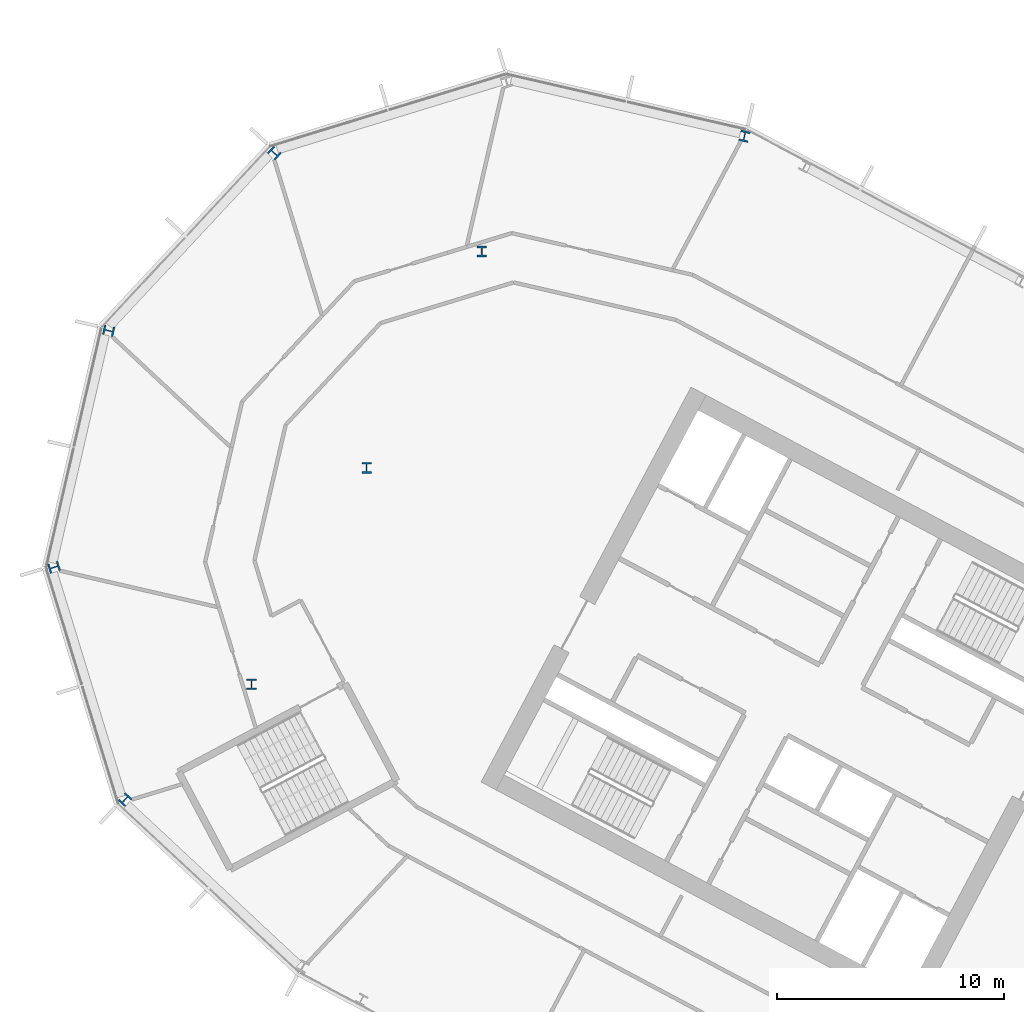
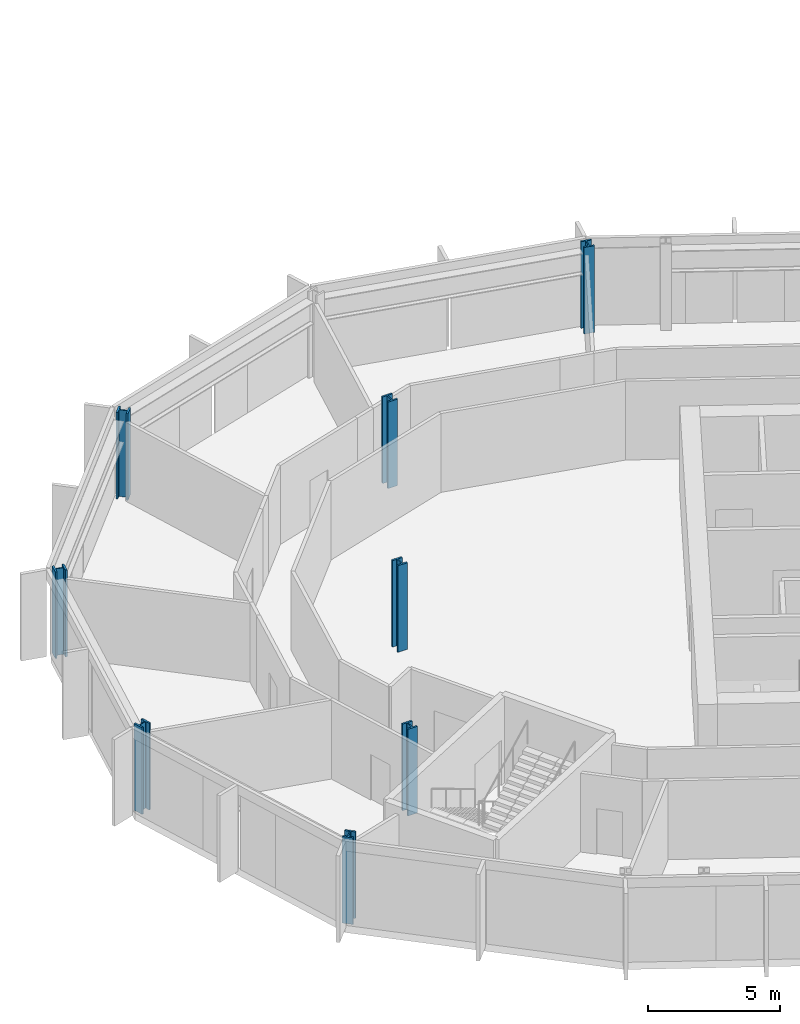
# One storey, part 3 of 28: 8 columns.
"""IFC4 building model written with IfcOpenShell, lengths in metres."""

from ifc_helpers import new_model, si_unit, direction, frame, origin, origin_2d, place, context, subcontext, project, spatial, i_section, extrude, material, material_profile, profile_set, type_object, element, save


model = new_model("IFC4")

# Units and contexts
model_context = context("Model", 3, precision=1e-05, world=origin(), true_north=direction((0.0, 1.0)))
body_context = subcontext(model_context, "Body", "Model", "MODEL_VIEW")
ifc_project = project(units=[si_unit("LENGTHUNIT", "METRE"), si_unit("AREAUNIT", "SQUARE_METRE"), si_unit("VOLUMEUNIT", "CUBIC_METRE"), si_unit("PLANEANGLEUNIT", "RADIAN"), si_unit("MASSUNIT", "GRAM", prefix="KILO")], contexts=[model_context])

# Site, building, storey
site_placement = place(None, origin())
site = spatial("IfcSite", under=ifc_project, at=site_placement, CompositionType="ELEMENT")
building_placement = place(site_placement, origin())
building = spatial("IfcBuilding", under=site, at=building_placement, Name="Cormorant Relay Tower", CompositionType="ELEMENT")
storey_placement = place(building_placement, frame((0.0, 0.0, 138.199951171875)))
storey = spatial("IfcBuildingStorey", under=building, at=storey_placement, Name="L28", CompositionType="ELEMENT", Elevation=138.199951171875)

# Columns
ifc_material = material(Name="Steel ASTM A992 (Fy 345 MPa)", Category="steel")
ifc_material_profile = material_profile(ifc_material, i_section(OverallWidth=0.42431640625, OverallDepth=0.47509765625, WebThickness=0.0478515625, FlangeThickness=0.0771484375, FilletRadius=0.014892578125, at=origin_2d()), Name="W360x634")
ifc_profile_set = profile_set([ifc_material_profile], Name="Steel ASTM A992 (Fy 345 MPa)")
column_type = type_object("IfcColumnType", Name="Column W360x634", PredefinedType="COLUMN", material=ifc_profile_set)
for number, where, z_axis, x_axis, name in (
    (1, (-57.261962890625, 10.173095703125, 0.0), (0.0, 0.0, 1.0), (0.731353701619, -0.681998360062, 0.0), "Column L28-022"),
    (2, (-51.68994140625, 15.251953125, 0.0), (0.0, 0.0, 1.0), (1.0, 0.0, 0.0), "Column L28-028"),
    (3, (-60.389892578125, 20.405029296875, 0.0), (0.0, 0.0, 1.0), (0.292371704723, -0.956304755963, 0.0), "Column L28-030"),
    (4, (-46.6201171875, 24.7880859375, 0.0), (0.0, 0.0, 1.0), (1.0, 0.0, 0.0), "Column L28-033"),
    (5, (-57.98291015625, 30.830078125, 0.0), (0.0, 0.0, 1.0), (-0.224951054344, -0.974370064785, 0.0), "Column L28-037"),
    (6, (-41.549072265625, 34.323974609375, 0.0), (0.0, 0.0, 1.0), (1.0, 0.0, 0.0), "Column L28-041"),
    (7, (-50.68603515625, 38.655029296875, 0.0), (0.0, 0.0, 1.0), (-0.681998360062, -0.731353701619, 0.0), "Column L28-045"),
    (8, (-29.97509765625, 39.39599609375, 0.0), (0.0, 0.0, 1.0), (-0.974370064785, 0.224951054344, 0.0), "Column L28-046"),
):
    element("IfcColumn", number, at=place(storey_placement, frame(where, z_axis=z_axis, x_axis=x_axis)), inside=storey, type_object=column_type, Name=name, PredefinedType="COLUMN", context=body_context, shape_type="SweptSolid", body=[
        extrude(i_section(OverallWidth=0.42431640625, OverallDepth=0.47509765625, WebThickness=0.0478515625, FlangeThickness=0.0771484375, FilletRadius=0.014892578125, at=origin_2d()), origin(), (0.0, 0.0, 1.0), 4.0),
    ])

save(model, "model.ifc")
